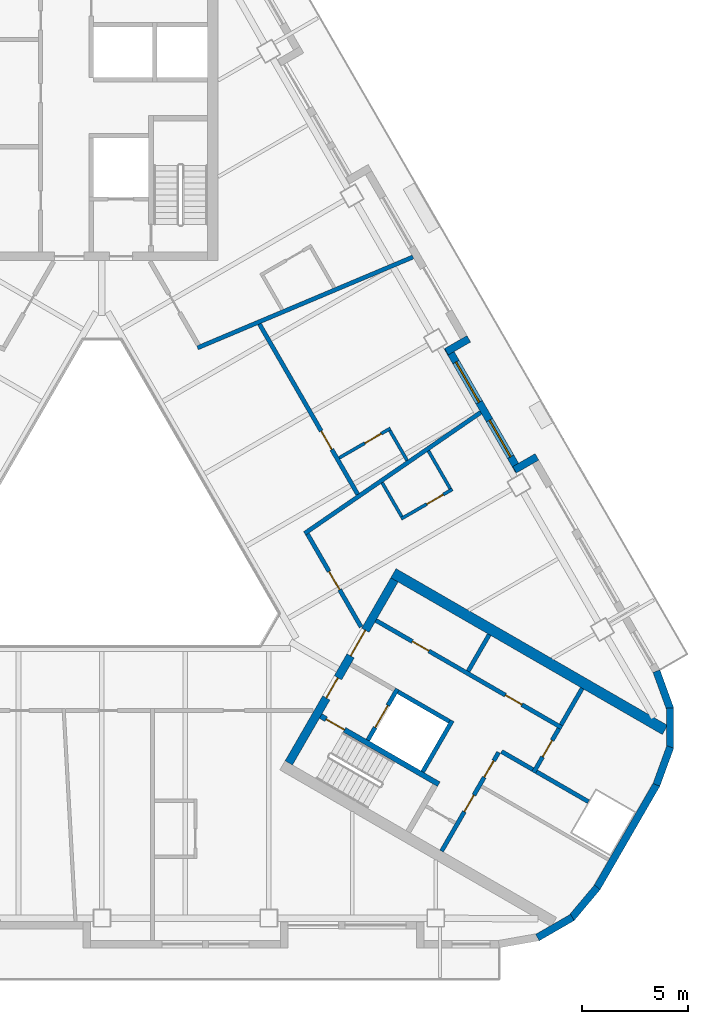
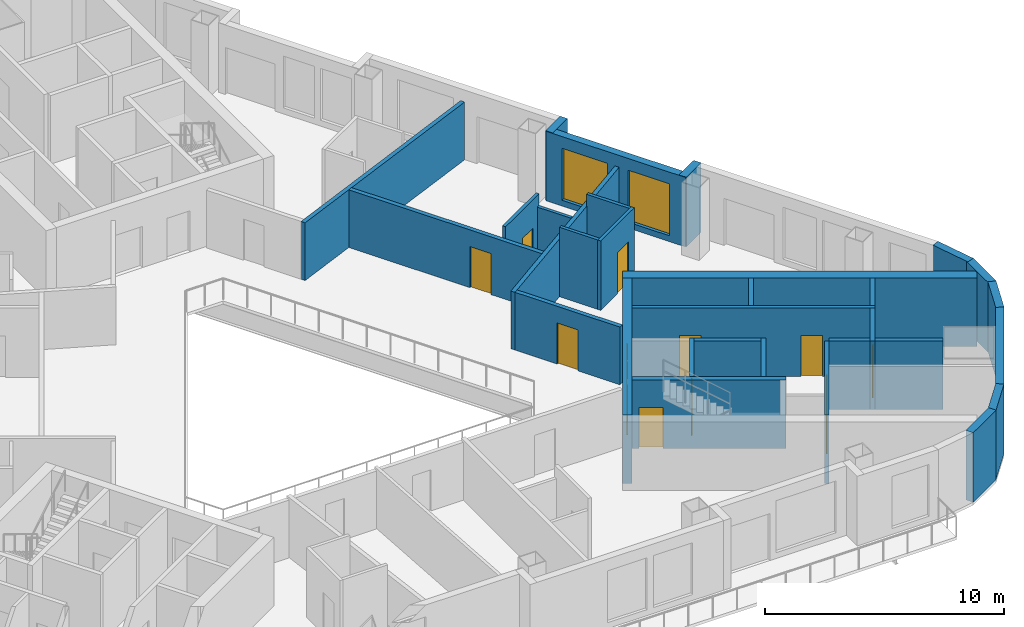
# One storey, part 5 of 13: 31 walls, 13 doors, 2 windows, 15 openings.
"""IFC4 building model written with IfcOpenShell, lengths in metres."""

from ifc_helpers import new_model, si_unit, direction, frame, frame_2d, origin, place, context, subcontext, project, spatial, rectangle, extrude, material, layer, layer_set, type_object, element, fill, save


model = new_model("IFC4")

# Units and contexts
model_context = context("Model", 3, precision=1e-05, world=origin(), true_north=direction((0.0, 1.0)))
body_context = subcontext(model_context, "Body", "Model", "MODEL_VIEW")
ifc_project = project(units=[si_unit("LENGTHUNIT", "METRE"), si_unit("AREAUNIT", "SQUARE_METRE"), si_unit("VOLUMEUNIT", "CUBIC_METRE"), si_unit("PLANEANGLEUNIT", "RADIAN"), si_unit("MASSUNIT", "GRAM", prefix="KILO")], contexts=[model_context])

# Site, building, storey
site_placement = place(None, origin())
site = spatial("IfcSite", under=ifc_project, at=site_placement, CompositionType="ELEMENT")
building_placement = place(site_placement, origin())
building = spatial("IfcBuilding", under=site, at=building_placement, Name="Apuvela Tower Hotel", CompositionType="ELEMENT")
storey_placement = place(building_placement, frame((0.0, 0.0, 165.10009765625)))
storey = spatial("IfcBuildingStorey", under=building, at=storey_placement, Name="L39", CompositionType="ELEMENT", Elevation=165.10009765625)

# Wall, openings, doors
ifc_material_1 = material(Name="Concrete C50/60", Category="concrete")
ifc_layer_1 = layer(ifc_material_1, 0.39990234375)
ifc_layer_set_1 = layer_set([ifc_layer_1], Name="COR-WALL-CORE-400")
wall_type_1 = type_object("IfcWallType", Name="COR-WALL-CORE-400", PredefinedType="SHEAR", material=ifc_layer_set_1)
wall_1_placement = place(storey_placement, frame((8.844970703125, -10.880126953125, 0.0), z_axis=(0.0, 0.0, 1.0), x_axis=(0.500004234368, 0.866022959057, 0.0)))
wall_1 = element("IfcWall", 1, at=wall_1_placement, inside=storey, type_object=wall_type_1, Name="Core wall SE", PredefinedType="SHEAR", context=body_context, shape_type="SweptSolid", body=[
    extrude(rectangle(XDim=10.0, YDim=0.39990234375, at=frame_2d((5.0, 0.0))), origin(), (0.0, 0.0, 1.0), 3.5),
])
opening_1_placement = place(wall_1_placement, frame((3.550048828125, 0.0, 0.0)))
opening_1 = element("IfcOpeningElement", 2, at=opening_1_placement, cuts=wall_1, Name="Opening E-FD", PredefinedType="OPENING", context=body_context, shape_type="SweptSolid", body=[
    extrude(rectangle(XDim=1.10009765625, YDim=2.10009765625, at=frame_2d((0.550048828125, 1.050048828125))), frame((0.0, 0.2099609375, 0.0), z_axis=(0.0, -1.0, 0.0), x_axis=(1.0, 0.0, 0.0)), (0.0, 0.0, 1.0), 0.419921875),
])
opening_2_placement = place(wall_1_placement, frame((5.85009765625, 0.0, 0.0)))
opening_2 = element("IfcOpeningElement", 3, at=opening_2_placement, cuts=wall_1, Name="Opening E-GD", PredefinedType="OPENING", context=body_context, shape_type="SweptSolid", body=[
    extrude(rectangle(XDim=1.39990234375, YDim=2.10009765625, at=frame_2d((0.699951171875, 1.050048828125))), frame((0.0, 0.2099609375, 0.0), z_axis=(0.0, -1.0, 0.0), x_axis=(1.0, 0.0, 0.0)), (0.0, 0.0, 1.0), 0.419921875),
])
ifc_material_2 = material(Name="Steel fire door, powder coated", Category="steel")
door_type_1 = type_object("IfcDoorType", Name="COR-FD-1100", OperationType="NOTDEFINED", PredefinedType="DOOR", material=ifc_material_2)
door_1_placement = place(opening_1_placement, frame((1.10009765625, 0.0, 0.0), z_axis=(0.0, 0.0, 1.0), x_axis=(-1.0, 0.0, 0.0)))
door_1 = element("IfcDoor", 4, at=door_1_placement, inside=storey, type_object=door_type_1, Name="Firefighting lobby door E-FD", OperationType="SINGLE_SWING_LEFT", OverallHeight=2.10009765625, OverallWidth=1.10009765625, PredefinedType="DOOR", context=body_context, shape_type="SweptSolid", body=[
    extrude(rectangle(XDim=1.10009765625, YDim=2.10009765625, at=frame_2d((0.550048828125, 1.050048828125))), frame((0.0, 0.02490234375, 0.0), z_axis=(0.0, -1.0, 0.0), x_axis=(1.0, 0.0, 0.0)), (0.0, 0.0, 1.0), 0.050048828125),
])
fill(opening_1, door_1)
ifc_material_3 = material(Name="Glazed steel fire door", Category="steel")
door_type_2 = type_object("IfcDoorType", Name="COR-GD-1400", OperationType="DOUBLE_DOOR_SINGLE_SWING", PredefinedType="DOOR", material=ifc_material_3)
door_2_placement = place(opening_2_placement, frame((1.39990234375, 0.0, 0.0), z_axis=(0.0, 0.0, 1.0), x_axis=(-1.0, 0.0, 0.0)))
door_2 = element("IfcDoor", 5, at=door_2_placement, inside=storey, type_object=door_type_2, Name="Lift lobby door E-GD", OperationType="DOUBLE_DOOR_SINGLE_SWING", OverallHeight=2.10009765625, OverallWidth=1.39990234375, PredefinedType="DOOR", context=body_context, shape_type="SweptSolid", body=[
    extrude(rectangle(XDim=1.39990234375, YDim=2.10009765625, at=frame_2d((0.699951171875, 1.050048828125))), frame((0.0, 0.02490234375, 0.0), z_axis=(0.0, -1.0, 0.0), x_axis=(1.0, 0.0, 0.0)), (0.0, 0.0, 1.0), 0.050048828125),
])
fill(opening_2, door_2)

# Wall
ifc_layer_2 = layer(ifc_material_1, 0.5)
ifc_layer_set_2 = layer_set([ifc_layer_2], Name="COR-WALL-CORE-500")
wall_type_2 = type_object("IfcWallType", Name="COR-WALL-CORE-500", PredefinedType="SHEAR", material=ifc_layer_set_2)
wall_2_placement = place(storey_placement, frame((13.796630859375, -1.9033203125, 0.0), z_axis=(0.0, 0.0, 1.0), x_axis=(0.866025009528, -0.500000682871, 0.0)))
element("IfcWall", 6, at=wall_2_placement, inside=storey, type_object=wall_type_2, Name="Core wall SE", PredefinedType="SHEAR", context=body_context, shape_type="SweptSolid", body=[
    extrude(rectangle(XDim=14.8369140625, YDim=0.5, at=frame_2d((7.41845703125, 0.0))), origin(), (0.0, 0.0, 1.0), 3.5),
])

# Wall, openings, doors
ifc_material_4 = material(Name="Blockwork 200 mm plastered", Category="masonry")
ifc_layer_3 = layer(ifc_material_4, 0.199951171875)
ifc_layer_set_3 = layer_set([ifc_layer_3], Name="COR-WALL-PART-200")
wall_type_3 = type_object("IfcWallType", Name="COR-WALL-PART-200", PredefinedType="PARTITIONING", material=ifc_layer_set_3)
wall_3_placement = place(storey_placement, frame((16.076171875, -15.05517578125, 0.0), z_axis=(0.0, 0.0, 1.0), x_axis=(0.499995103361, 0.866028230842, 0.0)))
wall_3 = element("IfcWall", 7, at=wall_3_placement, inside=storey, type_object=wall_type_3, Name="Partition SE", PredefinedType="PARTITIONING", context=body_context, shape_type="SweptSolid", body=[
    extrude(rectangle(XDim=5.39990234375, YDim=0.199951171875, at=frame_2d((2.699951171875, 0.0))), origin(), (0.0, 0.0, 1.0), 3.5),
])
opening_3_placement = place(wall_3_placement, frame((2.16259765625, 0.0, 0.0)))
opening_3 = element("IfcOpeningElement", 8, at=opening_3_placement, cuts=wall_3, Name="Opening E-RS1", PredefinedType="OPENING", context=body_context, shape_type="SweptSolid", body=[
    extrude(rectangle(XDim=0.89990234375, YDim=2.10009765625, at=frame_2d((0.449951171875, 1.050048828125))), frame((0.0, 0.10986328125, 0.0), z_axis=(0.0, -1.0, 0.0), x_axis=(1.0, 0.0, 0.0)), (0.0, 0.0, 1.0), 0.219970703125),
])
opening_4_placement = place(wall_3_placement, frame((4.03759765625, 0.0, 0.0)))
opening_4 = element("IfcOpeningElement", 9, at=opening_4_placement, cuts=wall_3, Name="Opening E-RS2", PredefinedType="OPENING", context=body_context, shape_type="SweptSolid", body=[
    extrude(rectangle(XDim=0.89990234375, YDim=2.10009765625, at=frame_2d((0.449951171875, 1.050048828125))), frame((0.0, 0.10986328125, 0.0), z_axis=(0.0, -1.0, 0.0), x_axis=(1.0, 0.0, 0.0)), (0.0, 0.0, 1.0), 0.219970703125),
])
door_type_3 = type_object("IfcDoorType", Name="COR-DR-900", OperationType="NOTDEFINED", PredefinedType="DOOR", material=ifc_material_2)
door_3_placement = place(opening_3_placement, frame((0.89990234375, 0.0, 0.0), z_axis=(0.0, 0.0, 1.0), x_axis=(-1.0, 0.0, 0.0)))
door_3 = element("IfcDoor", 10, at=door_3_placement, inside=storey, type_object=door_type_3, Name="Store door E-RS1", OperationType="SINGLE_SWING_LEFT", OverallHeight=2.10009765625, OverallWidth=0.89990234375, PredefinedType="DOOR", context=body_context, shape_type="SweptSolid", body=[
    extrude(rectangle(XDim=0.89990234375, YDim=2.10009765625, at=frame_2d((0.449951171875, 1.050048828125))), frame((0.0, 0.02490234375, 0.0), z_axis=(0.0, -1.0, 0.0), x_axis=(1.0, 0.0, 0.0)), (0.0, 0.0, 1.0), 0.050048828125),
])
fill(opening_3, door_3)
door_4_placement = place(opening_4_placement, frame((0.89990234375, 0.0, 0.0), z_axis=(0.0, 0.0, 1.0), x_axis=(-1.0, 0.0, 0.0)))
door_4 = element("IfcDoor", 11, at=door_4_placement, inside=storey, type_object=door_type_3, Name="Store door E-RS2", OperationType="SINGLE_SWING_LEFT", OverallHeight=2.10009765625, OverallWidth=0.89990234375, PredefinedType="DOOR", context=body_context, shape_type="SweptSolid", body=[
    extrude(rectangle(XDim=0.89990234375, YDim=2.10009765625, at=frame_2d((0.449951171875, 1.050048828125))), frame((0.0, 0.02490234375, 0.0), z_axis=(0.0, -1.0, 0.0), x_axis=(1.0, 0.0, 0.0)), (0.0, 0.0, 1.0), 0.050048828125),
])
fill(opening_4, door_4)

# Wall
ifc_layer_4 = layer(ifc_material_1, 0.199951171875)
ifc_layer_set_4 = layer_set([ifc_layer_4], Name="COR-WALL-SHAFT-200")
wall_type_4 = type_object("IfcWallType", Name="COR-WALL-SHAFT-200", PredefinedType="SHEAR", material=ifc_layer_set_4)
wall_4_placement = place(storey_placement, frame((15.181396484375, -11.305419921875, 0.0), z_axis=(0.0, 0.0, 1.0), x_axis=(0.49994636267, 0.866056369097, 0.0)))
element("IfcWall", 12, at=wall_4_placement, inside=storey, type_object=wall_type_4, Name="Shaft wall SE", PredefinedType="SHEAR", context=body_context, shape_type="SweptSolid", body=[
    extrude(rectangle(XDim=2.800048828125, YDim=0.199951171875, at=frame_2d((1.39990234375, 0.0))), origin(), (0.0, 0.0, 1.0), 3.5),
])

# Wall, opening, door
wall_5_placement = place(storey_placement, frame((12.583251953125, -9.805419921875, 0.0), z_axis=(0.0, 0.0, 1.0), x_axis=(0.49994636267, 0.866056369097, 0.0)))
wall_5 = element("IfcWall", 13, at=wall_5_placement, inside=storey, type_object=wall_type_4, Name="Shaft wall SE", PredefinedType="SHEAR", context=body_context, shape_type="SweptSolid", body=[
    extrude(rectangle(XDim=2.800048828125, YDim=0.199951171875, at=frame_2d((1.39990234375, 0.0))), origin(), (0.0, 0.0, 1.0), 3.5),
])
opening_5_placement = place(wall_5_placement, frame((0.699951171875, 0.0, 0.0)))
opening_5 = element("IfcOpeningElement", 14, at=opening_5_placement, cuts=wall_5, Name="Opening E-LD-FS3", PredefinedType="OPENING", context=body_context, shape_type="SweptSolid", body=[
    extrude(rectangle(XDim=1.199951171875, YDim=2.10009765625, at=frame_2d((0.60009765625, 1.050048828125))), frame((0.0, 0.10986328125, 0.0), z_axis=(0.0, -1.0, 0.0), x_axis=(1.0, 0.0, 0.0)), (0.0, 0.0, 1.0), 0.219970703125),
])
ifc_material_5 = material(Name="Stainless steel lift landing door", Category="steel")
door_type_4 = type_object("IfcDoorType", Name="COR-LD-1200", OperationType="DOUBLE_DOOR_SLIDING", PredefinedType="DOOR", material=ifc_material_5)
door_5_placement = place(opening_5_placement, origin())
door_5 = element("IfcDoor", 15, at=door_5_placement, inside=storey, type_object=door_type_4, Name="Lift landing door E-LD-FS3", OperationType="DOUBLE_DOOR_SLIDING", OverallHeight=2.10009765625, OverallWidth=1.199951171875, PredefinedType="DOOR", context=body_context, shape_type="SweptSolid", body=[
    extrude(rectangle(XDim=1.199951171875, YDim=2.10009765625, at=frame_2d((0.60009765625, 1.050048828125))), frame((0.0, 0.02490234375, 0.0), z_axis=(0.0, -1.0, 0.0), x_axis=(1.0, 0.0, 0.0)), (0.0, 0.0, 1.0), 0.050048828125),
])
fill(opening_5, door_5)

# Wall
wall_6_placement = place(storey_placement, frame((14.019775390625, -7.51708984375, 0.0), z_axis=(0.0, 0.0, 1.0), x_axis=(0.866034573852, -0.49998411664, 0.0)))
element("IfcWall", 16, at=wall_6_placement, inside=storey, type_object=wall_type_4, Name="Shaft wall SE", PredefinedType="SHEAR", context=body_context, shape_type="SweptSolid", body=[
    extrude(rectangle(XDim=2.7998046875, YDim=0.199951171875, at=frame_2d((1.39990234375, 0.0))), origin(), (0.0, 0.0, 1.0), 3.5),
])

# Wall, openings, doors
wall_7_placement = place(storey_placement, frame((12.968017578125, -4.138427734375, 0.0), z_axis=(0.0, 0.0, 1.0), x_axis=(0.866028328073, -0.49999493495, 0.0)))
wall_7 = element("IfcWall", 17, at=wall_7_placement, inside=storey, type_object=wall_type_4, Name="Shaft wall SE", PredefinedType="SHEAR", context=body_context, shape_type="SweptSolid", body=[
    extrude(rectangle(XDim=10.16015625, YDim=0.199951171875, at=frame_2d((5.080078125, 0.0))), origin(), (0.0, 0.0, 1.0), 3.5),
])
opening_6_placement = place(wall_7_placement, frame((1.989990234375, 0.0, 0.0)))
opening_6 = element("IfcOpeningElement", 18, at=opening_6_placement, cuts=wall_7, Name="Opening E-RE1", PredefinedType="OPENING", context=body_context, shape_type="SweptSolid", body=[
    extrude(rectangle(XDim=0.89990234375, YDim=2.10009765625, at=frame_2d((0.449951171875, 1.050048828125))), frame((0.0, 0.10986328125, 0.0), z_axis=(0.0, -1.0, 0.0), x_axis=(1.0, 0.0, 0.0)), (0.0, 0.0, 1.0), 0.219970703125),
])
opening_7_placement = place(wall_7_placement, frame((7.070068359375, 0.0, 0.0)))
opening_7 = element("IfcOpeningElement", 19, at=opening_7_placement, cuts=wall_7, Name="Opening E-RE3", PredefinedType="OPENING", context=body_context, shape_type="SweptSolid", body=[
    extrude(rectangle(XDim=0.89990234375, YDim=2.10009765625, at=frame_2d((0.449951171875, 1.050048828125))), frame((0.0, 0.10986328125, 0.0), z_axis=(0.0, -1.0, 0.0), x_axis=(1.0, 0.0, 0.0)), (0.0, 0.0, 1.0), 0.219970703125),
])
door_6_placement = place(opening_6_placement, origin())
door_6 = element("IfcDoor", 20, at=door_6_placement, inside=storey, type_object=door_type_3, Name="Store door E-RE1", OperationType="SINGLE_SWING_LEFT", OverallHeight=2.10009765625, OverallWidth=0.89990234375, PredefinedType="DOOR", context=body_context, shape_type="SweptSolid", body=[
    extrude(rectangle(XDim=0.89990234375, YDim=2.10009765625, at=frame_2d((0.449951171875, 1.050048828125))), frame((0.0, 0.02490234375, 0.0), z_axis=(0.0, -1.0, 0.0), x_axis=(1.0, 0.0, 0.0)), (0.0, 0.0, 1.0), 0.050048828125),
])
fill(opening_6, door_6)
door_7_placement = place(opening_7_placement, origin())
door_7 = element("IfcDoor", 21, at=door_7_placement, inside=storey, type_object=door_type_3, Name="Store door E-RE3", OperationType="SINGLE_SWING_LEFT", OverallHeight=2.10009765625, OverallWidth=0.89990234375, PredefinedType="DOOR", context=body_context, shape_type="SweptSolid", body=[
    extrude(rectangle(XDim=0.89990234375, YDim=2.10009765625, at=frame_2d((0.449951171875, 1.050048828125))), frame((0.0, 0.02490234375, 0.0), z_axis=(0.0, -1.0, 0.0), x_axis=(1.0, 0.0, 0.0)), (0.0, 0.0, 1.0), 0.050048828125),
])
fill(opening_7, door_7)

# Wall, opening, door
wall_8_placement = place(storey_placement, frame((20.430419921875, -11.33349609375, 0.0), z_axis=(0.0, 0.0, 1.0), x_axis=(0.500001309137, 0.866024647952, 0.0)))
wall_8 = element("IfcWall", 22, at=wall_8_placement, inside=storey, type_object=wall_type_4, Name="Shaft wall SE", PredefinedType="SHEAR", context=body_context, shape_type="SweptSolid", body=[
    extrude(rectangle(XDim=2.39990234375, YDim=0.199951171875, at=frame_2d((1.199951171875, 0.0))), origin(), (0.0, 0.0, 1.0), 3.5),
])
opening_8_placement = place(wall_8_placement, frame((0.85009765625, 0.0, 0.0)))
opening_8 = element("IfcOpeningElement", 23, at=opening_8_placement, cuts=wall_8, Name="Opening E-REP", PredefinedType="OPENING", context=body_context, shape_type="SweptSolid", body=[
    extrude(rectangle(XDim=0.89990234375, YDim=2.10009765625, at=frame_2d((0.449951171875, 1.050048828125))), frame((0.0, 0.10986328125, 0.0), z_axis=(0.0, -1.0, 0.0), x_axis=(1.0, 0.0, 0.0)), (0.0, 0.0, 1.0), 0.219970703125),
])
door_8_placement = place(opening_8_placement, frame((0.89990234375, 0.0, 0.0), z_axis=(0.0, 0.0, 1.0), x_axis=(-1.0, 0.0, 0.0)))
door_8 = element("IfcDoor", 24, at=door_8_placement, inside=storey, type_object=door_type_3, Name="Store door E-REP", OperationType="SINGLE_SWING_RIGHT", OverallHeight=2.10009765625, OverallWidth=0.89990234375, PredefinedType="DOOR", context=body_context, shape_type="SweptSolid", body=[
    extrude(rectangle(XDim=0.89990234375, YDim=2.10009765625, at=frame_2d((0.449951171875, 1.050048828125))), frame((0.0, 0.02490234375, 0.0), z_axis=(0.0, -1.0, 0.0), x_axis=(1.0, 0.0, 0.0)), (0.0, 0.0, 1.0), 0.050048828125),
])
fill(opening_8, door_8)

# Walls
wall_9_placement = place(storey_placement, frame((18.912841796875, -10.342041015625, 0.0), z_axis=(0.0, 0.0, 1.0), x_axis=(0.866038183914, -0.499977863513, 0.0)))
element("IfcWall", 25, at=wall_9_placement, inside=storey, type_object=wall_type_4, Name="Shaft wall SE", PredefinedType="SHEAR", context=body_context, shape_type="SweptSolid", body=[
    extrude(rectangle(XDim=1.7099609375, YDim=0.199951171875, at=frame_2d((0.85498046875, 0.0))), origin(), (0.0, 0.0, 1.0), 3.5),
])
for number, where, z_axis, x_axis, name in (
    (26, (17.330810546875, -6.5419921875, 0.0), (0.0, 0.0, 1.0), (0.499972520799, 0.866041268327, 0.0), "Shaft wall SE"),
    (27, (21.73046875, -9.081787109375, 0.0), (0.0, 0.0, 1.0), (0.50002537861, 0.866010750942, 0.0), "Shaft wall SE"),
):
    element("IfcWall", number, at=place(storey_placement, frame(where, z_axis=z_axis, x_axis=x_axis)), inside=storey, type_object=wall_type_4, Name=name, PredefinedType="SHEAR", context=body_context, shape_type="SweptSolid", body=[
        extrude(rectangle(XDim=2.0, YDim=0.199951171875, at=frame_2d((1.0, 0.0))), origin(), (0.0, 0.0, 1.0), 3.5),
    ])
wall_10_placement = place(storey_placement, frame((20.56689453125, -11.297119140625, 0.0), z_axis=(0.0, 0.0, 1.0), x_axis=(0.866055327414, -0.49994816717, 0.0)))
element("IfcWall", 28, at=wall_10_placement, inside=storey, type_object=wall_type_4, Name="Shaft wall SE", PredefinedType="SHEAR", context=body_context, shape_type="SweptSolid", body=[
    extrude(rectangle(XDim=2.840087890625, YDim=0.199951171875, at=frame_2d((1.419921875, 0.0))), origin(), (0.0, 0.0, 1.0), 3.5),
])

# Wall, opening, door
ifc_layer_5 = layer(ifc_material_1, 0.25)
ifc_layer_set_5 = layer_set([ifc_layer_5], Name="COR-WALL-STAIR-250")
wall_type_5 = type_object("IfcWallType", Name="COR-WALL-STAIR-250", PredefinedType="SHEAR", material=ifc_layer_set_5)
wall_11_placement = place(storey_placement, frame((10.355712890625, -8.66357421875, 0.0), z_axis=(0.0, 0.0, 1.0), x_axis=(0.866028629588, -0.499994412703, 0.0)))
wall_11 = element("IfcWall", 29, at=wall_11_placement, inside=storey, type_object=wall_type_5, Name="Stair wall SE", PredefinedType="SHEAR", context=body_context, shape_type="SweptSolid", body=[
    extrude(rectangle(XDim=6.44970703125, YDim=0.25, at=frame_2d((3.224853515625, 0.0))), origin(), (0.0, 0.0, 1.0), 3.5),
])
opening_9_placement = place(wall_11_placement, frame((0.300048828125, 0.0, 0.0)))
opening_9 = element("IfcOpeningElement", 30, at=opening_9_placement, cuts=wall_11, Name="Opening E-SD", PredefinedType="OPENING", context=body_context, shape_type="SweptSolid", body=[
    extrude(rectangle(XDim=1.0, YDim=2.10009765625, at=frame_2d((0.5, 1.050048828125))), frame((0.0, 0.135009765625, 0.0), z_axis=(0.0, -1.0, 0.0), x_axis=(1.0, 0.0, 0.0)), (0.0, 0.0, 1.0), 0.27001953125),
])
door_type_5 = type_object("IfcDoorType", Name="COR-SD-1000", OperationType="NOTDEFINED", PredefinedType="DOOR", material=ifc_material_2)
door_9_placement = place(opening_9_placement, frame((1.0, 0.0, 0.0), z_axis=(0.0, 0.0, 1.0), x_axis=(-1.0, 0.0, 0.0)))
door_9 = element("IfcDoor", 31, at=door_9_placement, inside=storey, type_object=door_type_5, Name="Stair door E-SD", OperationType="SINGLE_SWING_LEFT", OverallHeight=2.10009765625, OverallWidth=1.0, PredefinedType="DOOR", context=body_context, shape_type="SweptSolid", body=[
    extrude(rectangle(XDim=1.0, YDim=2.10009765625, at=frame_2d((0.5, 1.050048828125))), frame((0.0, 0.02490234375, 0.0), z_axis=(0.0, -1.0, 0.0), x_axis=(1.0, 0.0, 0.0)), (0.0, 0.0, 1.0), 0.050048828125),
])
fill(opening_9, door_9)

# Walls
ifc_material_6 = material(Name="Concrete C40/50, dark pigmented precast panel", Category="concrete")
ifc_layer_6 = layer(ifc_material_6, 0.35009765625)
ifc_layer_set_6 = layer_set([ifc_layer_6], Name="ENV-WALL-350")
wall_type_6 = type_object("IfcWallType", Name="ENV-WALL-350", PredefinedType="SOLIDWALL", material=ifc_layer_set_6)
for number, where, z_axis, x_axis, name in (
    (32, (20.609619140625, -19.146728515625, 0.0), (0.0, 0.0, 1.0), (0.866000389056, 0.500043324278, 0.0), "External wall L39-27"),
    (33, (22.21728515625, -18.230712890625, 0.0), (0.0, 0.0, 1.0), (0.642733291068, 0.76609001857, 0.0), "External wall L39-28"),
):
    element("IfcWall", number, at=place(storey_placement, frame(where, z_axis=z_axis, x_axis=x_axis)), inside=storey, type_object=wall_type_6, Name=name, PredefinedType="SOLIDWALL", context=body_context, shape_type="SweptSolid", body=[
        extrude(rectangle(XDim=1.909912109375, YDim=0.35009765625, at=frame_2d((0.955078125, 0.0))), origin(), (0.0, 0.0, 1.0), 3.5498046875),
    ])
wall_12_placement = place(storey_placement, frame((23.427490234375, -16.79248046875, 0.0), z_axis=(0.0, 0.0, 1.0), x_axis=(0.500018773155, 0.866014564827, 0.0)))
element("IfcWall", 34, at=wall_12_placement, inside=storey, type_object=wall_type_6, Name="External wall L39-29", PredefinedType="SOLIDWALL", context=body_context, shape_type="SweptSolid", body=[
    extrude(rectangle(XDim=5.657958984375, YDim=0.35009765625, at=frame_2d((2.8291015625, 0.0))), origin(), (0.0, 0.0, 1.0), 3.5498046875),
])
for number, where, z_axis, x_axis, name in (
    (35, (26.24365234375, -11.920166015625, 0.0), (0.0, 0.0, 1.0), (0.342030395486, 0.939688889242, 0.0), "External wall L39-30"),
    (36, (26.88623046875, -10.18505859375, 0.0), (0.0, 0.0, 1.0), (0.0, 1.0, 0.0), "External wall L39-31"),
    (37, (26.89697265625, -8.334716796875, 0.0), (0.0, 0.0, 1.0), (-0.342030395486, 0.939688889242, 0.0), "External wall L39-32"),
):
    element("IfcWall", number, at=place(storey_placement, frame(where, z_axis=z_axis, x_axis=x_axis)), inside=storey, type_object=wall_type_6, Name=name, PredefinedType="SOLIDWALL", context=body_context, shape_type="SweptSolid", body=[
        extrude(rectangle(XDim=1.91015625, YDim=0.35009765625, at=frame_2d((0.955078125, 0.0))), origin(), (0.0, 0.0, 1.0), 3.5498046875),
    ])
wall_13_placement = place(storey_placement, frame((20.587646484375, 3.601318359375, 0.0), z_axis=(0.0, 0.0, 1.0), x_axis=(-0.866005645448, -0.500034220881, 0.0)))
element("IfcWall", 38, at=wall_13_placement, inside=storey, type_object=wall_type_6, Name="External wall L39-34", PredefinedType="SOLIDWALL", context=body_context, shape_type="SweptSolid", body=[
    extrude(rectangle(XDim=1.22021484375, YDim=0.35009765625, at=frame_2d((0.610107421875, 0.0))), origin(), (0.0, 0.0, 1.0), 3.5498046875),
])

# Wall, openings, windows
wall_14_placement = place(storey_placement, frame((19.72900390625, 2.93798828125, 0.0), z_axis=(0.0, 0.0, 1.0), x_axis=(-0.499976430342, 0.866039011305, 0.0)))
wall_14 = element("IfcWall", 39, at=wall_14_placement, inside=storey, type_object=wall_type_6, Name="External wall L39-35", PredefinedType="SOLIDWALL", context=body_context, shape_type="SweptSolid", body=[
    extrude(rectangle(XDim=6.739990234375, YDim=0.35009765625, at=frame_2d((3.3701171875, 0.0))), origin(), (0.0, 0.0, 1.0), 3.5498046875),
])
opening_10_placement = place(wall_14_placement, frame((0.77001953125, 0.0, 0.300048828125)))
opening_10 = element("IfcOpeningElement", 40, at=opening_10_placement, cuts=wall_14, Name="Opening WN20", PredefinedType="OPENING", context=body_context, shape_type="SweptSolid", body=[
    extrude(rectangle(XDim=2.0, YDim=2.64990234375, at=frame_2d((1.0, 1.324951171875))), frame((0.0, 0.18505859375, 0.0), z_axis=(0.0, -1.0, 0.0), x_axis=(1.0, 0.0, 0.0)), (0.0, 0.0, 1.0), 0.3701171875),
])
opening_11_placement = place(wall_14_placement, frame((3.748779296875, 0.0, 0.300048828125)))
opening_11 = element("IfcOpeningElement", 41, at=opening_11_placement, cuts=wall_14, Name="Opening WN22", PredefinedType="OPENING", context=body_context, shape_type="SweptSolid", body=[
    extrude(rectangle(XDim=2.199951171875, YDim=2.64990234375, at=frame_2d((1.10009765625, 1.324951171875))), frame((0.0, 0.18505859375, 0.0), z_axis=(0.0, -1.0, 0.0), x_axis=(1.0, 0.0, 0.0)), (0.0, 0.0, 1.0), 0.3701171875),
])
ifc_material_7 = material(Name="Glass, dark tinted laminated insulated glazing unit", Category="glass")
window_type_1 = type_object("IfcWindowType", Name="ENV-WIN-2000x2650", PartitioningType="SINGLE_PANEL", PredefinedType="WINDOW", material=ifc_material_7)
window_1_placement = place(opening_10_placement, origin())
window_1 = element("IfcWindow", 42, at=window_1_placement, inside=storey, type_object=window_type_1, Name="Window WN20", OverallHeight=2.64990234375, OverallWidth=2.0, PartitioningType="SINGLE_PANEL", PredefinedType="WINDOW", context=body_context, shape_type="SweptSolid", body=[
    extrude(rectangle(XDim=2.0, YDim=2.64990234375, at=frame_2d((1.0, 1.324951171875))), frame((0.0, 0.030029296875, 0.0), z_axis=(0.0, -1.0, 0.0), x_axis=(1.0, 0.0, 0.0)), (0.0, 0.0, 1.0), 0.06005859375),
])
fill(opening_10, window_1)
window_type_2 = type_object("IfcWindowType", Name="ENV-WIN-2200x2650", PartitioningType="SINGLE_PANEL", PredefinedType="WINDOW", material=ifc_material_7)
window_2_placement = place(opening_11_placement, origin())
window_2 = element("IfcWindow", 43, at=window_2_placement, inside=storey, type_object=window_type_2, Name="Window WN22", OverallHeight=2.64990234375, OverallWidth=2.199951171875, PartitioningType="SINGLE_PANEL", PredefinedType="WINDOW", context=body_context, shape_type="SweptSolid", body=[
    extrude(rectangle(XDim=2.199951171875, YDim=2.64990234375, at=frame_2d((1.10009765625, 1.324951171875))), frame((0.0, 0.030029296875, 0.0), z_axis=(0.0, -1.0, 0.0), x_axis=(1.0, 0.0, 0.0)), (0.0, 0.0, 1.0), 0.06005859375),
])
fill(opening_11, window_2)

# Walls
wall_15_placement = place(storey_placement, frame((16.305908203125, 8.5771484375, 0.0), z_axis=(0.0, 0.0, 1.0), x_axis=(0.866092288191, 0.499884134912, 0.0)))
element("IfcWall", 44, at=wall_15_placement, inside=storey, type_object=wall_type_6, Name="External wall L39-36", PredefinedType="SOLIDWALL", context=body_context, shape_type="SweptSolid", body=[
    extrude(rectangle(XDim=1.219970703125, YDim=0.35009765625, at=frame_2d((0.60986328125, 0.0))), origin(), (0.0, 0.0, 1.0), 3.5498046875),
])
ifc_material_8 = material(Name="Gypsum board partition on twin steel stud", Category="steel")
ifc_layer_7 = layer(ifc_material_8, 0.199951171875)
ifc_layer_set_7 = layer_set([ifc_layer_7], Name="GST-PW1")
wall_type_7 = type_object("IfcWallType", Name="GST-PW1", PredefinedType="PARTITIONING", material=ifc_layer_set_7)
wall_16_placement = place(storey_placement, frame((17.927978515625, 5.707763671875, 0.0), z_axis=(0.0, 0.0, 1.0), x_axis=(-0.824041924199, -0.566528822887, 0.0)))
element("IfcWall", 45, at=wall_16_placement, inside=storey, type_object=wall_type_7, Name="L39 partition 03", PredefinedType="PARTITIONING", context=body_context, shape_type="SweptSolid", body=[
    extrude(rectangle(XDim=10.111083984375, YDim=0.199951171875, at=frame_2d((5.0556640625, 0.0))), origin(), (0.0, 0.0, 1.0), 2.949951171875),
])
wall_17_placement = place(storey_placement, frame((14.721923828125, 13.060791015625, 0.0), z_axis=(0.0, 0.0, 1.0), x_axis=(-0.921447968583, -0.388501790465, 0.0)))
element("IfcWall", 46, at=wall_17_placement, inside=storey, type_object=wall_type_7, Name="L39 partition 04", PredefinedType="PARTITIONING", context=body_context, shape_type="SweptSolid", body=[
    extrude(rectangle(XDim=11.065673828125, YDim=0.199951171875, at=frame_2d((5.53271484375, 0.0))), origin(), (0.0, 0.0, 1.0), 2.949951171875),
])

# Wall, opening, door
ifc_material_9 = material(Name="Gypsum board corridor wall on twin steel stud, acoustic", Category="steel")
ifc_layer_8 = layer(ifc_material_9, 0.199951171875)
ifc_layer_set_8 = layer_set([ifc_layer_8], Name="GST-PW2")
wall_type_8 = type_object("IfcWallType", Name="GST-PW2", PredefinedType="PARTITIONING", material=ifc_layer_set_8)
wall_18_placement = place(storey_placement, frame((9.728759765625, -0.050537109375, 0.0), z_axis=(0.0, 0.0, 1.0), x_axis=(0.500005339912, -0.866022320763, 0.0)))
wall_18 = element("IfcWall", 47, at=wall_18_placement, inside=storey, type_object=wall_type_8, Name="L39 partition 18", PredefinedType="PARTITIONING", context=body_context, shape_type="SweptSolid", body=[
    extrude(rectangle(XDim=5.080078125, YDim=0.199951171875, at=frame_2d((2.5400390625, 0.0))), origin(), (0.0, 0.0, 1.0), 2.949951171875),
])
opening_12_placement = place(wall_18_placement, frame((2.0400390625, 0.0, 0.0)))
opening_12 = element("IfcOpeningElement", 48, at=opening_12_placement, cuts=wall_18, Name="Opening GD14-08", PredefinedType="OPENING", context=body_context, shape_type="SweptSolid", body=[
    extrude(rectangle(XDim=1.0, YDim=2.10009765625, at=frame_2d((0.5, 1.050048828125))), frame((0.0, 0.10986328125, 0.0), z_axis=(0.0, -1.0, 0.0), x_axis=(1.0, 0.0, 0.0)), (0.0, 0.0, 1.0), 0.219970703125),
])
ifc_material_10 = material(Name="Timber door leaf in steel frame", Category="steel")
door_type_6 = type_object("IfcDoorType", Name="GST-D1", OperationType="NOTDEFINED", PredefinedType="DOOR", material=ifc_material_10)
door_10_placement = place(opening_12_placement, origin())
door_10 = element("IfcDoor", 49, at=door_10_placement, inside=storey, type_object=door_type_6, Name="Door L39-08", OperationType="SINGLE_SWING_LEFT", OverallHeight=2.10009765625, OverallWidth=1.0, PredefinedType="DOOR", context=body_context, shape_type="SweptSolid", body=[
    extrude(rectangle(XDim=1.0, YDim=2.10009765625, at=frame_2d((0.5, 1.050048828125))), frame((0.0, 0.02490234375, 0.0), z_axis=(0.0, -1.0, 0.0), x_axis=(1.0, 0.0, 0.0)), (0.0, 0.0, 1.0), 0.050048828125),
])
fill(opening_12, door_10)

wall_19_placement = place(storey_placement, frame((7.45458984375, 9.88818359375, 0.0), z_axis=(0.0, 0.0, 1.0), x_axis=(0.499995688794, -0.866027892846, 0.0)))
wall_19 = element("IfcWall", 50, at=wall_19_placement, inside=storey, type_object=wall_type_8, Name="L39 partition 22", PredefinedType="PARTITIONING", context=body_context, shape_type="SweptSolid", body=[
    extrude(rectangle(XDim=9.30712890625, YDim=0.199951171875, at=frame_2d((4.653564453125, 0.0))), origin(), (0.0, 0.0, 1.0), 2.949951171875),
])
opening_13_placement = place(wall_19_placement, frame((5.84912109375, 0.0, 0.0)))
opening_13 = element("IfcOpeningElement", 51, at=opening_13_placement, cuts=wall_19, Name="Opening GD14-10", PredefinedType="OPENING", context=body_context, shape_type="SweptSolid", body=[
    extrude(rectangle(XDim=1.0, YDim=2.10009765625, at=frame_2d((0.5, 1.050048828125))), frame((0.0, 0.10986328125, 0.0), z_axis=(0.0, -1.0, 0.0), x_axis=(1.0, 0.0, 0.0)), (0.0, 0.0, 1.0), 0.219970703125),
])
door_11_placement = place(opening_13_placement, origin())
door_11 = element("IfcDoor", 52, at=door_11_placement, inside=storey, type_object=door_type_6, Name="Door L39-10", OperationType="SINGLE_SWING_LEFT", OverallHeight=2.10009765625, OverallWidth=1.0, PredefinedType="DOOR", context=body_context, shape_type="SweptSolid", body=[
    extrude(rectangle(XDim=1.0, YDim=2.10009765625, at=frame_2d((0.5, 1.050048828125))), frame((0.0, 0.02490234375, 0.0), z_axis=(0.0, -1.0, 0.0), x_axis=(1.0, 0.0, 0.0)), (0.0, 0.0, 1.0), 0.050048828125),
])
fill(opening_13, door_11)

ifc_material_11 = material(Name="Moisture-resistant gypsum board wet wall on steel stud", Category="steel")
ifc_layer_9 = layer(ifc_material_11, 0.14990234375)
ifc_layer_set_9 = layer_set([ifc_layer_9], Name="GST-PW3")
wall_type_9 = type_object("IfcWallType", Name="GST-PW3", PredefinedType="PARTITIONING", material=ifc_layer_set_9)
wall_20_placement = place(storey_placement, frame((14.162841796875, 0.669189453125, 0.0), z_axis=(0.0, 0.0, 1.0), x_axis=(0.866056369097, 0.49994636267, 0.0)))
wall_20 = element("IfcWall", 53, at=wall_20_placement, inside=storey, type_object=wall_type_9, Name="L39 partition 19", PredefinedType="PARTITIONING", context=body_context, shape_type="SweptSolid", body=[
    extrude(rectangle(XDim=2.800048828125, YDim=0.14990234375, at=frame_2d((1.39990234375, 0.0))), origin(), (0.0, 0.0, 1.0), 3.5498046875),
])
opening_14_placement = place(wall_20_placement, frame((1.39990234375, 0.0, 0.0)))
opening_14 = element("IfcOpeningElement", 54, at=opening_14_placement, cuts=wall_20, Name="Opening GD14-07", PredefinedType="OPENING", context=body_context, shape_type="SweptSolid", body=[
    extrude(rectangle(XDim=0.89990234375, YDim=2.10009765625, at=frame_2d((0.449951171875, 1.050048828125))), frame((0.0, 0.0849609375, 0.0), z_axis=(0.0, -1.0, 0.0), x_axis=(1.0, 0.0, 0.0)), (0.0, 0.0, 1.0), 0.169921875),
])
door_type_7 = type_object("IfcDoorType", Name="GST-D2", OperationType="NOTDEFINED", PredefinedType="DOOR", material=ifc_material_10)
door_12_placement = place(opening_14_placement, origin())
door_12 = element("IfcDoor", 55, at=door_12_placement, inside=storey, type_object=door_type_7, Name="Door L39-07", OperationType="SINGLE_SWING_RIGHT", OverallHeight=2.10009765625, OverallWidth=0.89990234375, PredefinedType="DOOR", context=body_context, shape_type="SweptSolid", body=[
    extrude(rectangle(XDim=0.89990234375, YDim=2.10009765625, at=frame_2d((0.449951171875, 1.050048828125))), frame((0.0, 0.02490234375, 0.0), z_axis=(0.0, -1.0, 0.0), x_axis=(1.0, 0.0, 0.0)), (0.0, 0.0, 1.0), 0.050048828125),
])
fill(opening_14, door_12)

# Walls
wall_21_placement = place(storey_placement, frame((16.4853515625, 2.096435546875, 0.0), z_axis=(0.0, 0.0, 1.0), x_axis=(-0.499991955492, 0.866030048233, 0.0)))
element("IfcWall", 56, at=wall_21_placement, inside=storey, type_object=wall_type_9, Name="L39 partition 20", PredefinedType="PARTITIONING", context=body_context, shape_type="SweptSolid", body=[
    extrude(rectangle(XDim=2.06494140625, YDim=0.14990234375, at=frame_2d((1.032470703125, 0.0))), origin(), (0.0, 0.0, 1.0), 3.5498046875),
])
wall_22_placement = place(storey_placement, frame((14.1904296875, 0.771484375, 0.0), z_axis=(0.0, 0.0, 1.0), x_axis=(-0.499972951856, 0.866041019474, 0.0)))
element("IfcWall", 57, at=wall_22_placement, inside=storey, type_object=wall_type_9, Name="L39 partition 21", PredefinedType="PARTITIONING", context=body_context, shape_type="SweptSolid", body=[
    extrude(rectangle(XDim=1.85595703125, YDim=0.14990234375, at=frame_2d((0.927978515625, 0.0))), origin(), (0.0, 0.0, 1.0), 3.5498046875),
])

# Wall, opening, door
wall_23_placement = place(storey_placement, frame((13.6533203125, 4.951904296875, 0.0), z_axis=(0.0, 0.0, 1.0), x_axis=(-0.866034573852, -0.49998411664, 0.0)))
wall_23 = element("IfcWall", 58, at=wall_23_placement, inside=storey, type_object=wall_type_9, Name="L39 partition 23", PredefinedType="PARTITIONING", context=body_context, shape_type="SweptSolid", body=[
    extrude(rectangle(XDim=2.7998046875, YDim=0.14990234375, at=frame_2d((1.39990234375, 0.0))), origin(), (0.0, 0.0, 1.0), 3.5498046875),
])
opening_15_placement = place(wall_23_placement, frame((0.5, 0.0, 0.0)))
opening_15 = element("IfcOpeningElement", 59, at=opening_15_placement, cuts=wall_23, Name="Opening GD14-09", PredefinedType="OPENING", context=body_context, shape_type="SweptSolid", body=[
    extrude(rectangle(XDim=0.89990234375, YDim=2.10009765625, at=frame_2d((0.449951171875, 1.050048828125))), frame((0.0, 0.0849609375, 0.0), z_axis=(0.0, -1.0, 0.0), x_axis=(1.0, 0.0, 0.0)), (0.0, 0.0, 1.0), 0.169921875),
])
door_13_placement = place(opening_15_placement, origin())
door_13 = element("IfcDoor", 60, at=door_13_placement, inside=storey, type_object=door_type_7, Name="Door L39-09", OperationType="SINGLE_SWING_LEFT", OverallHeight=2.10009765625, OverallWidth=0.89990234375, PredefinedType="DOOR", context=body_context, shape_type="SweptSolid", body=[
    extrude(rectangle(XDim=0.89990234375, YDim=2.10009765625, at=frame_2d((0.449951171875, 1.050048828125))), frame((0.0, 0.02490234375, 0.0), z_axis=(0.0, -1.0, 0.0), x_axis=(1.0, 0.0, 0.0)), (0.0, 0.0, 1.0), 0.050048828125),
])
fill(opening_15, door_13)

# Wall
wall_24_placement = place(storey_placement, frame((14.443359375, 3.433349609375, 0.0), z_axis=(0.0, 0.0, 1.0), x_axis=(-0.499976608306, 0.866038908564, 0.0)))
element("IfcWall", 61, at=wall_24_placement, inside=storey, type_object=wall_type_9, Name="L39 partition 24", PredefinedType="PARTITIONING", context=body_context, shape_type="SweptSolid", body=[
    extrude(rectangle(XDim=1.63525390625, YDim=0.14990234375, at=frame_2d((0.817626953125, 0.0))), origin(), (0.0, 0.0, 1.0), 2.949951171875),
])

save(model, "model.ifc")
